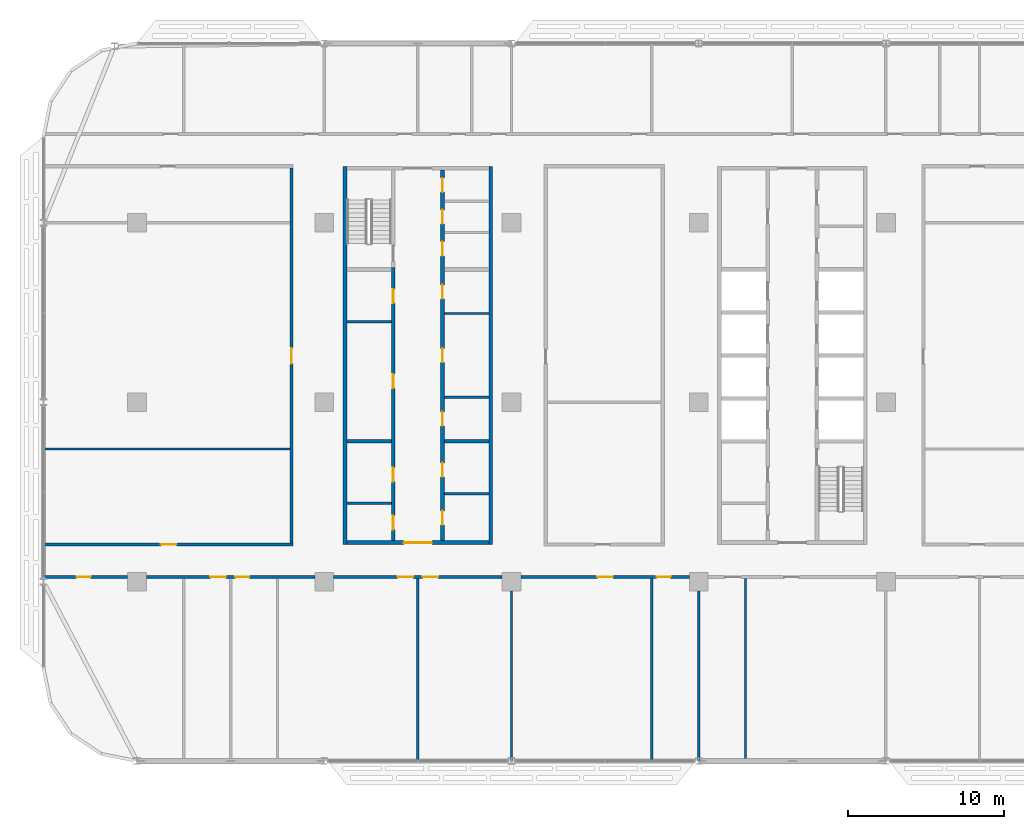
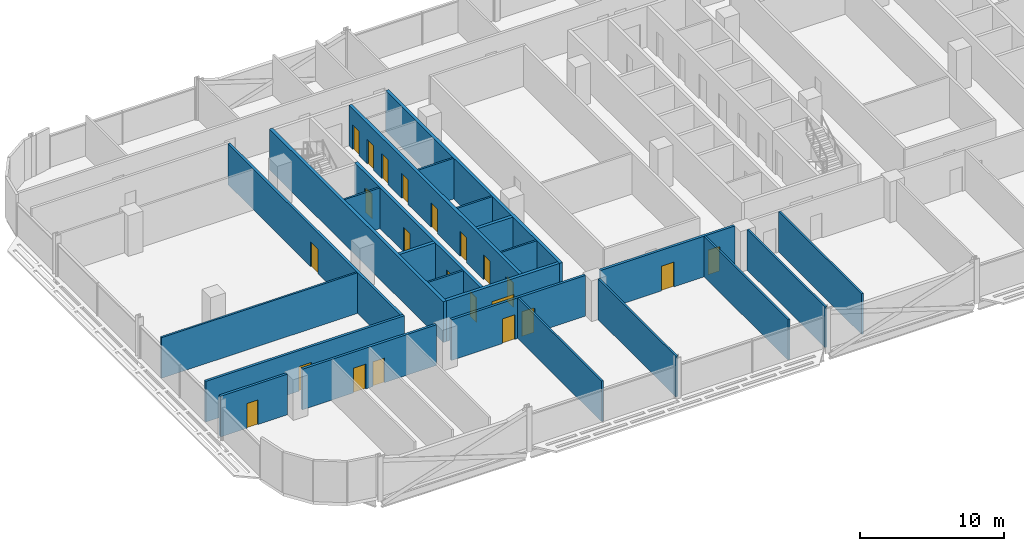
# One storey, part 11 of 27: 24 walls, 22 doors, 22 openings.
"""IFC4 building model written with IfcOpenShell, lengths in metres."""

from ifc_helpers import new_model, si_unit, direction, frame, frame_2d, origin, place, context, subcontext, project, spatial, rectangle, extrude, material, layer, layer_set, type_object, element, fill, save


model = new_model("IFC4")

# Units and contexts
model_context = context("Model", 3, precision=1e-05, world=origin(), true_north=direction((0.0, 1.0)))
body_context = subcontext(model_context, "Body", "Model", "MODEL_VIEW")
ifc_project = project(units=[si_unit("LENGTHUNIT", "METRE"), si_unit("AREAUNIT", "SQUARE_METRE"), si_unit("VOLUMEUNIT", "CUBIC_METRE"), si_unit("PLANEANGLEUNIT", "RADIAN"), si_unit("MASSUNIT", "GRAM", prefix="KILO")], contexts=[model_context])

# Site, building, storey
site_placement = place(None, origin())
site = spatial("IfcSite", under=ifc_project, at=site_placement, CompositionType="ELEMENT")
building_placement = place(site_placement, origin())
building = spatial("IfcBuilding", under=site, at=building_placement, Name="Mahtab Terrace Research Tower", CompositionType="ELEMENT")
storey_placement = place(building_placement, frame((0.0, 0.0, 182.0)))
storey = spatial("IfcBuildingStorey", under=building, at=storey_placement, Name="L43", CompositionType="ELEMENT", Elevation=182.0)

# Walls
ifc_material_1 = material(Name="Gypsum board partition")
ifc_layer_1 = layer(ifc_material_1, 0.14990234375)
ifc_layer_set_1 = layer_set([ifc_layer_1], Name="Core partition 150")
wall_type_1 = type_object("IfcWallType", Name="Core partition 150", PredefinedType="PARTITIONING", material=ifc_layer_set_1)
for number, where, z_axis, x_axis, name in (
    (1, (-28.550048828125, 5.14990234375, 0.0), (0.0, 0.0, 1.0), (1.0, 0.0, 0.0), "Core wall A pWL215"),
    (2, (-22.300048828125, 0.3125, 0.0), (0.0, 0.0, 1.0), (1.0, 0.0, 0.0), "Core wall A pEL-269"),
    (3, (-22.300048828125, 5.6875, 0.0), (0.0, 0.0, 1.0), (1.0, 0.0, 0.0), "Core wall A pEL269"),
    (4, (-28.550048828125, -6.47509765625, 0.0), (0.0, 0.0, 1.0), (1.0, 0.0, 0.0), "Core wall A pWS-948"),
    (5, (-22.300048828125, -5.875, 0.0), (0.0, 0.0, 1.0), (1.0, 0.0, 0.0), "Core wall A pES-888"),
):
    element("IfcWall", number, at=place(storey_placement, frame(where, z_axis=z_axis, x_axis=x_axis)), inside=storey, type_object=wall_type_1, Name=name, PredefinedType="PARTITIONING", context=body_context, shape_type="SweptSolid", body=[
        extrude(rectangle(XDim=2.85009765625, YDim=0.14990234375, at=frame_2d((1.425048828125, 0.0))), origin(), (0.0, 0.0, 1.0), 3.4599609375),
    ])
ifc_material_2 = material(Name="Concrete C70/85", Category="concrete")
ifc_layer_2 = layer(ifc_material_2, 0.25)
ifc_layer_set_2 = layer_set([ifc_layer_2], Name="Core wall 250")
wall_type_2 = type_object("IfcWallType", Name="Core wall 250", PredefinedType="SOLIDWALL", material=ifc_layer_set_2)
for number, where, z_axis, x_axis, name in (
    (6, (-28.675048828125, 15.125, 0.0), (0.0, 0.0, 1.0), (0.0, -1.0, 0.0), "Core wall A outerW"),
    (7, (-19.324951171875, -9.125, 0.0), (0.0, 0.0, 1.0), (0.0, 1.0, 0.0), "Core wall A outerE"),
):
    element("IfcWall", number, at=place(storey_placement, frame(where, z_axis=z_axis, x_axis=x_axis)), inside=storey, type_object=wall_type_2, Name=name, PredefinedType="SOLIDWALL", context=body_context, shape_type="SweptSolid", body=[
        extrude(rectangle(XDim=24.25, YDim=0.25, at=frame_2d((12.125, 0.0))), origin(), (0.0, 0.0, 1.0), 3.4599609375),
    ])

# Wall, opening, door
wall_1_placement = place(storey_placement, frame((-19.449951171875, -9.0, 0.0), z_axis=(0.0, 0.0, 1.0), x_axis=(-1.0, 0.0, 0.0)))
wall_1 = element("IfcWall", 8, at=wall_1_placement, inside=storey, type_object=wall_type_2, Name="Core wall A endS", PredefinedType="SOLIDWALL", context=body_context, shape_type="SweptSolid", body=[
    extrude(rectangle(XDim=9.10009765625, YDim=0.25, at=frame_2d((4.550048828125, 0.0))), origin(), (0.0, 0.0, 1.0), 3.4599609375),
])
opening_1_placement = place(wall_1_placement, frame((3.64990234375, 0.0, 0.0)))
opening_1 = element("IfcOpeningElement", 9, at=opening_1_placement, cuts=wall_1, Name="Opening A-S1", PredefinedType="OPENING", context=body_context, shape_type="SweptSolid", body=[
    extrude(rectangle(XDim=1.800048828125, YDim=2.10009765625, at=frame_2d((0.89990234375, 1.050048828125))), frame((0.0, 0.135009765625, 0.0), z_axis=(0.0, -1.0, 0.0), x_axis=(1.0, 0.0, 0.0)), (0.0, 0.0, 1.0), 0.27001953125),
])
ifc_material_3 = material(Name="Steel fire door", Category="steel")
door_type_1 = type_object("IfcDoorType", Name="Lobby double door 1800x2100 1 HR", OperationType="DOUBLE_DOOR_SINGLE_SWING", PredefinedType="DOOR", material=ifc_material_3)
door_1_placement = place(opening_1_placement, origin())
door_1 = element("IfcDoor", 10, at=door_1_placement, inside=storey, type_object=door_type_1, Name="Core entrance door A S", OperationType="DOUBLE_DOOR_SINGLE_SWING", OverallHeight=2.10009765625, OverallWidth=1.800048828125, PredefinedType="DOOR", context=body_context, shape_type="SweptSolid", body=[
    extrude(rectangle(XDim=1.800048828125, YDim=2.10009765625, at=frame_2d((0.89990234375, 1.050048828125))), frame((0.0, 0.02490234375, 0.0), z_axis=(0.0, -1.0, 0.0), x_axis=(1.0, 0.0, 0.0)), (0.0, 0.0, 1.0), 0.050048828125),
])
fill(opening_1, door_1)

# Wall, openings, doors
wall_2_placement = place(storey_placement, frame((-25.574951171875, -8.875, 0.0), z_axis=(0.0, 0.0, 1.0), x_axis=(0.0, 1.0, 0.0)))
wall_2 = element("IfcWall", 11, at=wall_2_placement, inside=storey, type_object=wall_type_2, Name="Core wall A innerWSL", PredefinedType="SOLIDWALL", context=body_context, shape_type="SweptSolid", body=[
    extrude(rectangle(XDim=17.5, YDim=0.25, at=frame_2d((8.75, 0.0))), origin(), (0.0, 0.0, 1.0), 3.4599609375),
])
opening_2_placement = place(wall_2_placement, frame((9.77490234375, 0.0, 0.0)))
opening_2 = element("IfcOpeningElement", 12, at=opening_2_placement, cuts=wall_2, Name="Opening A-R1", PredefinedType="OPENING", context=body_context, shape_type="SweptSolid", body=[
    extrude(rectangle(XDim=0.89990234375, YDim=2.10009765625, at=frame_2d((0.449951171875, 1.050048828125))), frame((0.0, 0.135009765625, 0.0), z_axis=(0.0, -1.0, 0.0), x_axis=(1.0, 0.0, 0.0)), (0.0, 0.0, 1.0), 0.27001953125),
])
opening_3_placement = place(wall_2_placement, frame((15.22509765625, 0.0, 0.0)))
opening_3 = element("IfcOpeningElement", 13, at=opening_3_placement, cuts=wall_2, Name="Opening A-R2", PredefinedType="OPENING", context=body_context, shape_type="SweptSolid", body=[
    extrude(rectangle(XDim=0.89990234375, YDim=2.10009765625, at=frame_2d((0.449951171875, 1.050048828125))), frame((0.0, 0.135009765625, 0.0), z_axis=(0.0, -1.0, 0.0), x_axis=(1.0, 0.0, 0.0)), (0.0, 0.0, 1.0), 0.27001953125),
])
opening_4_placement = place(wall_2_placement, frame((0.71240234375, 0.0, 0.0)))
opening_4 = element("IfcOpeningElement", 14, at=opening_4_placement, cuts=wall_2, Name="Opening A-R6", PredefinedType="OPENING", context=body_context, shape_type="SweptSolid", body=[
    extrude(rectangle(XDim=0.89990234375, YDim=2.10009765625, at=frame_2d((0.449951171875, 1.050048828125))), frame((0.0, 0.135009765625, 0.0), z_axis=(0.0, -1.0, 0.0), x_axis=(1.0, 0.0, 0.0)), (0.0, 0.0, 1.0), 0.27001953125),
])
opening_5_placement = place(wall_2_placement, frame((3.78759765625, 0.0, 0.0)))
opening_5 = element("IfcOpeningElement", 15, at=opening_5_placement, cuts=wall_2, Name="Opening A-R7", PredefinedType="OPENING", context=body_context, shape_type="SweptSolid", body=[
    extrude(rectangle(XDim=0.89990234375, YDim=2.10009765625, at=frame_2d((0.449951171875, 1.050048828125))), frame((0.0, 0.135009765625, 0.0), z_axis=(0.0, -1.0, 0.0), x_axis=(1.0, 0.0, 0.0)), (0.0, 0.0, 1.0), 0.27001953125),
])
door_type_2 = type_object("IfcDoorType", Name="Room door 900x2100 1 HR", OperationType="NOTDEFINED", PredefinedType="DOOR", material=ifc_material_3)
door_2_placement = place(opening_2_placement, origin())
door_2 = element("IfcDoor", 16, at=door_2_placement, inside=storey, type_object=door_type_2, Name="Chemical store door", OperationType="SINGLE_SWING_LEFT", OverallHeight=2.10009765625, OverallWidth=0.89990234375, PredefinedType="DOOR", context=body_context, shape_type="SweptSolid", body=[
    extrude(rectangle(XDim=0.89990234375, YDim=2.10009765625, at=frame_2d((0.449951171875, 1.050048828125))), frame((0.0, 0.02490234375, 0.0), z_axis=(0.0, -1.0, 0.0), x_axis=(1.0, 0.0, 0.0)), (0.0, 0.0, 1.0), 0.050048828125),
])
fill(opening_2, door_2)
door_3_placement = place(opening_3_placement, origin())
door_3 = element("IfcDoor", 17, at=door_3_placement, inside=storey, type_object=door_type_2, Name="Waste room door", OperationType="SINGLE_SWING_RIGHT", OverallHeight=2.10009765625, OverallWidth=0.89990234375, PredefinedType="DOOR", context=body_context, shape_type="SweptSolid", body=[
    extrude(rectangle(XDim=0.89990234375, YDim=2.10009765625, at=frame_2d((0.449951171875, 1.050048828125))), frame((0.0, 0.02490234375, 0.0), z_axis=(0.0, -1.0, 0.0), x_axis=(1.0, 0.0, 0.0)), (0.0, 0.0, 1.0), 0.050048828125),
])
fill(opening_3, door_3)
door_4_placement = place(opening_4_placement, origin())
door_4 = element("IfcDoor", 18, at=door_4_placement, inside=storey, type_object=door_type_2, Name="Accessible WC door", OperationType="SINGLE_SWING_RIGHT", OverallHeight=2.10009765625, OverallWidth=0.89990234375, PredefinedType="DOOR", context=body_context, shape_type="SweptSolid", body=[
    extrude(rectangle(XDim=0.89990234375, YDim=2.10009765625, at=frame_2d((0.449951171875, 1.050048828125))), frame((0.0, 0.02490234375, 0.0), z_axis=(0.0, -1.0, 0.0), x_axis=(1.0, 0.0, 0.0)), (0.0, 0.0, 1.0), 0.050048828125),
])
fill(opening_4, door_4)
door_5_placement = place(opening_5_placement, origin())
door_5 = element("IfcDoor", 19, at=door_5_placement, inside=storey, type_object=door_type_2, Name="WC block door", OperationType="SINGLE_SWING_LEFT", OverallHeight=2.10009765625, OverallWidth=0.89990234375, PredefinedType="DOOR", context=body_context, shape_type="SweptSolid", body=[
    extrude(rectangle(XDim=0.89990234375, YDim=2.10009765625, at=frame_2d((0.449951171875, 1.050048828125))), frame((0.0, 0.02490234375, 0.0), z_axis=(0.0, -1.0, 0.0), x_axis=(1.0, 0.0, 0.0)), (0.0, 0.0, 1.0), 0.050048828125),
])
fill(opening_5, door_5)

wall_3_placement = place(storey_placement, frame((-22.425048828125, 14.875, 0.0), z_axis=(0.0, 0.0, 1.0), x_axis=(0.0, -1.0, 0.0)))
wall_3 = element("IfcWall", 20, at=wall_3_placement, inside=storey, type_object=wall_type_2, Name="Core wall A innerESLN", PredefinedType="SOLIDWALL", context=body_context, shape_type="SweptSolid", body=[
    extrude(rectangle(XDim=23.75, YDim=0.25, at=frame_2d((11.875, 0.0))), origin(), (0.0, 0.0, 1.0), 3.4599609375),
])
opening_6_placement = place(wall_3_placement, frame((15.493896484375, 0.0, 0.0)))
opening_6 = element("IfcOpeningElement", 21, at=opening_6_placement, cuts=wall_3, Name="Opening A-R3", PredefinedType="OPENING", context=body_context, shape_type="SweptSolid", body=[
    extrude(rectangle(XDim=0.89990234375, YDim=2.10009765625, at=frame_2d((0.449951171875, 1.050048828125))), frame((0.0, 0.135009765625, 0.0), z_axis=(0.0, -1.0, 0.0), x_axis=(1.0, 0.0, 0.0)), (0.0, 0.0, 1.0), 0.27001953125),
])
opening_7_placement = place(wall_3_placement, frame((11.425048828125, 0.0, 0.0)))
opening_7 = element("IfcOpeningElement", 22, at=opening_7_placement, cuts=wall_3, Name="Opening A-R4", PredefinedType="OPENING", context=body_context, shape_type="SweptSolid", body=[
    extrude(rectangle(XDim=0.89990234375, YDim=2.10009765625, at=frame_2d((0.449951171875, 1.050048828125))), frame((0.0, 0.135009765625, 0.0), z_axis=(0.0, -1.0, 0.0), x_axis=(1.0, 0.0, 0.0)), (0.0, 0.0, 1.0), 0.27001953125),
])
opening_8_placement = place(wall_3_placement, frame((7.356201171875, 0.0, 0.0)))
opening_8 = element("IfcOpeningElement", 23, at=opening_8_placement, cuts=wall_3, Name="Opening A-R5", PredefinedType="OPENING", context=body_context, shape_type="SweptSolid", body=[
    extrude(rectangle(XDim=0.89990234375, YDim=2.10009765625, at=frame_2d((0.449951171875, 1.050048828125))), frame((0.0, 0.135009765625, 0.0), z_axis=(0.0, -1.0, 0.0), x_axis=(1.0, 0.0, 0.0)), (0.0, 0.0, 1.0), 0.27001953125),
])
opening_9_placement = place(wall_3_placement, frame((21.83740234375, 0.0, 0.0)))
opening_9 = element("IfcOpeningElement", 24, at=opening_9_placement, cuts=wall_3, Name="Opening A-R8", PredefinedType="OPENING", context=body_context, shape_type="SweptSolid", body=[
    extrude(rectangle(XDim=0.89990234375, YDim=2.10009765625, at=frame_2d((0.449951171875, 1.050048828125))), frame((0.0, 0.135009765625, 0.0), z_axis=(0.0, -1.0, 0.0), x_axis=(1.0, 0.0, 0.0)), (0.0, 0.0, 1.0), 0.27001953125),
])
opening_10_placement = place(wall_3_placement, frame((18.762451171875, 0.0, 0.0)))
opening_10 = element("IfcOpeningElement", 25, at=opening_10_placement, cuts=wall_3, Name="Opening A-R9", PredefinedType="OPENING", context=body_context, shape_type="SweptSolid", body=[
    extrude(rectangle(XDim=0.89990234375, YDim=2.10009765625, at=frame_2d((0.449951171875, 1.050048828125))), frame((0.0, 0.135009765625, 0.0), z_axis=(0.0, -1.0, 0.0), x_axis=(1.0, 0.0, 0.0)), (0.0, 0.0, 1.0), 0.27001953125),
])
opening_11_placement = place(wall_3_placement, frame((4.58740234375, 0.0, 0.0)))
opening_11 = element("IfcOpeningElement", 26, at=opening_11_placement, cuts=wall_3, Name="Opening A-R10", PredefinedType="OPENING", context=body_context, shape_type="SweptSolid", body=[
    extrude(rectangle(XDim=0.89990234375, YDim=2.10009765625, at=frame_2d((0.449951171875, 1.050048828125))), frame((0.0, 0.135009765625, 0.0), z_axis=(0.0, -1.0, 0.0), x_axis=(1.0, 0.0, 0.0)), (0.0, 0.0, 1.0), 0.27001953125),
])
opening_12_placement = place(wall_3_placement, frame((2.550048828125, 0.0, 0.0)))
opening_12 = element("IfcOpeningElement", 27, at=opening_12_placement, cuts=wall_3, Name="Opening A-R11", PredefinedType="OPENING", context=body_context, shape_type="SweptSolid", body=[
    extrude(rectangle(XDim=0.89990234375, YDim=2.10009765625, at=frame_2d((0.449951171875, 1.050048828125))), frame((0.0, 0.135009765625, 0.0), z_axis=(0.0, -1.0, 0.0), x_axis=(1.0, 0.0, 0.0)), (0.0, 0.0, 1.0), 0.27001953125),
])
opening_13_placement = place(wall_3_placement, frame((0.512451171875, 0.0, 0.0)))
opening_13 = element("IfcOpeningElement", 28, at=opening_13_placement, cuts=wall_3, Name="Opening A-R12", PredefinedType="OPENING", context=body_context, shape_type="SweptSolid", body=[
    extrude(rectangle(XDim=0.89990234375, YDim=2.10009765625, at=frame_2d((0.449951171875, 1.050048828125))), frame((0.0, 0.135009765625, 0.0), z_axis=(0.0, -1.0, 0.0), x_axis=(1.0, 0.0, 0.0)), (0.0, 0.0, 1.0), 0.27001953125),
])
door_6_placement = place(opening_6_placement, origin())
door_6 = element("IfcDoor", 29, at=door_6_placement, inside=storey, type_object=door_type_2, Name="Comms room door", OperationType="SINGLE_SWING_LEFT", OverallHeight=2.10009765625, OverallWidth=0.89990234375, PredefinedType="DOOR", context=body_context, shape_type="SweptSolid", body=[
    extrude(rectangle(XDim=0.89990234375, YDim=2.10009765625, at=frame_2d((0.449951171875, 1.050048828125))), frame((0.0, 0.02490234375, 0.0), z_axis=(0.0, -1.0, 0.0), x_axis=(1.0, 0.0, 0.0)), (0.0, 0.0, 1.0), 0.050048828125),
])
fill(opening_6, door_6)
door_7_placement = place(opening_7_placement, origin())
door_7 = element("IfcDoor", 30, at=door_7_placement, inside=storey, type_object=door_type_2, Name="Meeting alcove door", OperationType="SINGLE_SWING_RIGHT", OverallHeight=2.10009765625, OverallWidth=0.89990234375, PredefinedType="DOOR", context=body_context, shape_type="SweptSolid", body=[
    extrude(rectangle(XDim=0.89990234375, YDim=2.10009765625, at=frame_2d((0.449951171875, 1.050048828125))), frame((0.0, 0.02490234375, 0.0), z_axis=(0.0, -1.0, 0.0), x_axis=(1.0, 0.0, 0.0)), (0.0, 0.0, 1.0), 0.050048828125),
])
fill(opening_7, door_7)
door_8_placement = place(opening_8_placement, origin())
door_8 = element("IfcDoor", 31, at=door_8_placement, inside=storey, type_object=door_type_2, Name="Linen store door", OperationType="SINGLE_SWING_LEFT", OverallHeight=2.10009765625, OverallWidth=0.89990234375, PredefinedType="DOOR", context=body_context, shape_type="SweptSolid", body=[
    extrude(rectangle(XDim=0.89990234375, YDim=2.10009765625, at=frame_2d((0.449951171875, 1.050048828125))), frame((0.0, 0.02490234375, 0.0), z_axis=(0.0, -1.0, 0.0), x_axis=(1.0, 0.0, 0.0)), (0.0, 0.0, 1.0), 0.050048828125),
])
fill(opening_8, door_8)
door_9_placement = place(opening_9_placement, origin())
door_9 = element("IfcDoor", 32, at=door_9_placement, inside=storey, type_object=door_type_2, Name="Housekeeping store door", OperationType="SINGLE_SWING_RIGHT", OverallHeight=2.10009765625, OverallWidth=0.89990234375, PredefinedType="DOOR", context=body_context, shape_type="SweptSolid", body=[
    extrude(rectangle(XDim=0.89990234375, YDim=2.10009765625, at=frame_2d((0.449951171875, 1.050048828125))), frame((0.0, 0.02490234375, 0.0), z_axis=(0.0, -1.0, 0.0), x_axis=(1.0, 0.0, 0.0)), (0.0, 0.0, 1.0), 0.050048828125),
])
fill(opening_9, door_9)
door_10_placement = place(opening_10_placement, origin())
door_10 = element("IfcDoor", 33, at=door_10_placement, inside=storey, type_object=door_type_2, Name="Electrical riser room door", OperationType="SINGLE_SWING_LEFT", OverallHeight=2.10009765625, OverallWidth=0.89990234375, PredefinedType="DOOR", context=body_context, shape_type="SweptSolid", body=[
    extrude(rectangle(XDim=0.89990234375, YDim=2.10009765625, at=frame_2d((0.449951171875, 1.050048828125))), frame((0.0, 0.02490234375, 0.0), z_axis=(0.0, -1.0, 0.0), x_axis=(1.0, 0.0, 0.0)), (0.0, 0.0, 1.0), 0.050048828125),
])
fill(opening_10, door_10)
door_11_placement = place(opening_11_placement, origin())
door_11 = element("IfcDoor", 34, at=door_11_placement, inside=storey, type_object=door_type_2, Name="Comms riser room door", OperationType="SINGLE_SWING_RIGHT", OverallHeight=2.10009765625, OverallWidth=0.89990234375, PredefinedType="DOOR", context=body_context, shape_type="SweptSolid", body=[
    extrude(rectangle(XDim=0.89990234375, YDim=2.10009765625, at=frame_2d((0.449951171875, 1.050048828125))), frame((0.0, 0.02490234375, 0.0), z_axis=(0.0, -1.0, 0.0), x_axis=(1.0, 0.0, 0.0)), (0.0, 0.0, 1.0), 0.050048828125),
])
fill(opening_11, door_11)
door_12_placement = place(opening_12_placement, origin())
door_12 = element("IfcDoor", 35, at=door_12_placement, inside=storey, type_object=door_type_2, Name="Pantry door", OperationType="SINGLE_SWING_LEFT", OverallHeight=2.10009765625, OverallWidth=0.89990234375, PredefinedType="DOOR", context=body_context, shape_type="SweptSolid", body=[
    extrude(rectangle(XDim=0.89990234375, YDim=2.10009765625, at=frame_2d((0.449951171875, 1.050048828125))), frame((0.0, 0.02490234375, 0.0), z_axis=(0.0, -1.0, 0.0), x_axis=(1.0, 0.0, 0.0)), (0.0, 0.0, 1.0), 0.050048828125),
])
fill(opening_12, door_12)
door_13_placement = place(opening_13_placement, origin())
door_13 = element("IfcDoor", 36, at=door_13_placement, inside=storey, type_object=door_type_2, Name="Cleaners store door", OperationType="SINGLE_SWING_RIGHT", OverallHeight=2.10009765625, OverallWidth=0.89990234375, PredefinedType="DOOR", context=body_context, shape_type="SweptSolid", body=[
    extrude(rectangle(XDim=0.89990234375, YDim=2.10009765625, at=frame_2d((0.449951171875, 1.050048828125))), frame((0.0, 0.02490234375, 0.0), z_axis=(0.0, -1.0, 0.0), x_axis=(1.0, 0.0, 0.0)), (0.0, 0.0, 1.0), 0.050048828125),
])
fill(opening_13, door_13)

# Walls
for number, where, z_axis, x_axis, name in (
    (37, (-28.550048828125, -2.5, 0.0), (0.0, 0.0, 1.0), (1.0, 0.0, 0.0), "Core wall A divW0"),
    (38, (-22.300048828125, -2.5, 0.0), (0.0, 0.0, 1.0), (1.0, 0.0, 0.0), "Core wall A divE0"),
):
    element("IfcWall", number, at=place(storey_placement, frame(where, z_axis=z_axis, x_axis=x_axis)), inside=storey, type_object=wall_type_2, Name=name, PredefinedType="SOLIDWALL", context=body_context, shape_type="SweptSolid", body=[
        extrude(rectangle(XDim=2.85009765625, YDim=0.25, at=frame_2d((1.425048828125, 0.0))), origin(), (0.0, 0.0, 1.0), 3.4599609375),
    ])

# Wall, opening, door
ifc_material_4 = material(Name="Gypsum board corridor wall on steel studs", Category="steel")
ifc_layer_3 = layer(ifc_material_4, 0.199951171875)
ifc_layer_set_3 = layer_set([ifc_layer_3], Name="WALL CORRIDOR 200")
wall_type_3 = type_object("IfcWallType", Name="WALL CORRIDOR 200", PredefinedType="PARTITIONING", material=ifc_layer_set_3)
wall_4_placement = place(storey_placement, frame((-47.97509765625, -11.199951171875, 0.0), z_axis=(0.0, 0.0, 1.0), x_axis=(1.0, 0.0, 0.0)))
wall_4 = element("IfcWall", 39, at=wall_4_placement, inside=storey, type_object=wall_type_3, Name="L43-W001", PredefinedType="PARTITIONING", context=body_context, shape_type="SweptSolid", body=[
    extrude(rectangle(XDim=5.375, YDim=0.199951171875, at=frame_2d((2.6875, 0.0))), origin(), (0.0, 0.0, 1.0), 3.4599609375),
])
opening_14_placement = place(wall_4_placement, frame((2.10009765625, 0.0, 0.0)))
opening_14 = element("IfcOpeningElement", 40, at=opening_14_placement, cuts=wall_4, Name="Opening L43-101", PredefinedType="OPENING", context=body_context, shape_type="SweptSolid", body=[
    extrude(rectangle(XDim=0.89990234375, YDim=2.10009765625, at=frame_2d((0.449951171875, 1.050048828125))), frame((0.0, 0.10986328125, 0.0), z_axis=(0.0, -1.0, 0.0), x_axis=(1.0, 0.0, 0.0)), (0.0, 0.0, 1.0), 0.219970703125),
])
ifc_material_5 = material(Name="Timber door leaf in steel frame", Category="steel")
door_type_3 = type_object("IfcDoorType", Name="DOOR 0900X2100 FD30S", OperationType="SINGLE_SWING_LEFT", PredefinedType="DOOR", material=ifc_material_5)
door_14_placement = place(opening_14_placement, origin())
door_14 = element("IfcDoor", 41, at=door_14_placement, inside=storey, type_object=door_type_3, Name="Door L43-101", OperationType="SINGLE_SWING_RIGHT", OverallHeight=2.10009765625, OverallWidth=0.89990234375, PredefinedType="DOOR", context=body_context, shape_type="SweptSolid", body=[
    extrude(rectangle(XDim=0.89990234375, YDim=2.10009765625, at=frame_2d((0.449951171875, 1.050048828125))), frame((0.0, 0.02490234375, 0.0), z_axis=(0.0, -1.0, 0.0), x_axis=(1.0, 0.0, 0.0)), (0.0, 0.0, 1.0), 0.050048828125),
])
fill(opening_14, door_14)

# Wall, openings, doors
wall_5_placement = place(storey_placement, frame((-41.39990234375, -11.199951171875, 0.0), z_axis=(0.0, 0.0, 1.0), x_axis=(1.0, 0.0, 0.0)))
wall_5 = element("IfcWall", 42, at=wall_5_placement, inside=storey, type_object=wall_type_3, Name="L43-W002", PredefinedType="PARTITIONING", context=body_context, shape_type="SweptSolid", body=[
    extrude(rectangle(XDim=10.7998046875, YDim=0.199951171875, at=frame_2d((5.39990234375, 0.0))), origin(), (0.0, 0.0, 1.0), 3.4599609375),
])
opening_15_placement = place(wall_5_placement, frame((4.10009765625, 0.0, 0.0)))
opening_15 = element("IfcOpeningElement", 43, at=opening_15_placement, cuts=wall_5, Name="Opening L43-102", PredefinedType="OPENING", context=body_context, shape_type="SweptSolid", body=[
    extrude(rectangle(XDim=1.0, YDim=2.10009765625, at=frame_2d((0.5, 1.050048828125))), frame((0.0, 0.10986328125, 0.0), z_axis=(0.0, -1.0, 0.0), x_axis=(1.0, 0.0, 0.0)), (0.0, 0.0, 1.0), 0.219970703125),
])
opening_16_placement = place(wall_5_placement, frame((5.699951171875, 0.0, 0.0)))
opening_16 = element("IfcOpeningElement", 44, at=opening_16_placement, cuts=wall_5, Name="Opening L43-103", PredefinedType="OPENING", context=body_context, shape_type="SweptSolid", body=[
    extrude(rectangle(XDim=0.89990234375, YDim=2.10009765625, at=frame_2d((0.449951171875, 1.050048828125))), frame((0.0, 0.10986328125, 0.0), z_axis=(0.0, -1.0, 0.0), x_axis=(1.0, 0.0, 0.0)), (0.0, 0.0, 1.0), 0.219970703125),
])
door_15_placement = place(opening_16_placement, origin())
door_15 = element("IfcDoor", 45, at=door_15_placement, inside=storey, type_object=door_type_3, Name="Door L43-103", OperationType="SINGLE_SWING_LEFT", OverallHeight=2.10009765625, OverallWidth=0.89990234375, PredefinedType="DOOR", context=body_context, shape_type="SweptSolid", body=[
    extrude(rectangle(XDim=0.89990234375, YDim=2.10009765625, at=frame_2d((0.449951171875, 1.050048828125))), frame((0.0, 0.02490234375, 0.0), z_axis=(0.0, -1.0, 0.0), x_axis=(1.0, 0.0, 0.0)), (0.0, 0.0, 1.0), 0.050048828125),
])
fill(opening_16, door_15)
door_type_4 = type_object("IfcDoorType", Name="DOOR 1000X2100 FD30S", OperationType="SINGLE_SWING_LEFT", PredefinedType="DOOR", material=ifc_material_5)
door_16_placement = place(opening_15_placement, origin())
door_16 = element("IfcDoor", 46, at=door_16_placement, inside=storey, type_object=door_type_4, Name="Door L43-102", OperationType="SINGLE_SWING_RIGHT", OverallHeight=2.10009765625, OverallWidth=1.0, PredefinedType="DOOR", context=body_context, shape_type="SweptSolid", body=[
    extrude(rectangle(XDim=1.0, YDim=2.10009765625, at=frame_2d((0.5, 1.050048828125))), frame((0.0, 0.02490234375, 0.0), z_axis=(0.0, -1.0, 0.0), x_axis=(1.0, 0.0, 0.0)), (0.0, 0.0, 1.0), 0.050048828125),
])
fill(opening_15, door_16)

wall_6_placement = place(storey_placement, frame((-29.39990234375, -11.199951171875, 0.0), z_axis=(0.0, 0.0, 1.0), x_axis=(1.0, 0.0, 0.0)))
wall_6 = element("IfcWall", 47, at=wall_6_placement, inside=storey, type_object=wall_type_3, Name="L43-W003", PredefinedType="PARTITIONING", context=body_context, shape_type="SweptSolid", body=[
    extrude(rectangle(XDim=10.7998046875, YDim=0.199951171875, at=frame_2d((5.39990234375, 0.0))), origin(), (0.0, 0.0, 1.0), 3.4599609375),
])
opening_17_placement = place(wall_6_placement, frame((4.10009765625, 0.0, 0.0)))
opening_17 = element("IfcOpeningElement", 48, at=opening_17_placement, cuts=wall_6, Name="Opening L43-104", PredefinedType="OPENING", context=body_context, shape_type="SweptSolid", body=[
    extrude(rectangle(XDim=1.0, YDim=2.10009765625, at=frame_2d((0.5, 1.050048828125))), frame((0.0, 0.10986328125, 0.0), z_axis=(0.0, -1.0, 0.0), x_axis=(1.0, 0.0, 0.0)), (0.0, 0.0, 1.0), 0.219970703125),
])
opening_18_placement = place(wall_6_placement, frame((5.699951171875, 0.0, 0.0)))
opening_18 = element("IfcOpeningElement", 49, at=opening_18_placement, cuts=wall_6, Name="Opening L43-105", PredefinedType="OPENING", context=body_context, shape_type="SweptSolid", body=[
    extrude(rectangle(XDim=1.0, YDim=2.10009765625, at=frame_2d((0.5, 1.050048828125))), frame((0.0, 0.10986328125, 0.0), z_axis=(0.0, -1.0, 0.0), x_axis=(1.0, 0.0, 0.0)), (0.0, 0.0, 1.0), 0.219970703125),
])
door_17_placement = place(opening_17_placement, origin())
door_17 = element("IfcDoor", 50, at=door_17_placement, inside=storey, type_object=door_type_4, Name="Door L43-104", OperationType="SINGLE_SWING_RIGHT", OverallHeight=2.10009765625, OverallWidth=1.0, PredefinedType="DOOR", context=body_context, shape_type="SweptSolid", body=[
    extrude(rectangle(XDim=1.0, YDim=2.10009765625, at=frame_2d((0.5, 1.050048828125))), frame((0.0, 0.02490234375, 0.0), z_axis=(0.0, -1.0, 0.0), x_axis=(1.0, 0.0, 0.0)), (0.0, 0.0, 1.0), 0.050048828125),
])
fill(opening_17, door_17)
door_18_placement = place(opening_18_placement, origin())
door_18 = element("IfcDoor", 51, at=door_18_placement, inside=storey, type_object=door_type_4, Name="Door L43-105", OperationType="SINGLE_SWING_LEFT", OverallHeight=2.10009765625, OverallWidth=1.0, PredefinedType="DOOR", context=body_context, shape_type="SweptSolid", body=[
    extrude(rectangle(XDim=1.0, YDim=2.10009765625, at=frame_2d((0.5, 1.050048828125))), frame((0.0, 0.02490234375, 0.0), z_axis=(0.0, -1.0, 0.0), x_axis=(1.0, 0.0, 0.0)), (0.0, 0.0, 1.0), 0.050048828125),
])
fill(opening_18, door_18)

wall_7_placement = place(storey_placement, frame((-17.39990234375, -11.199951171875, 0.0), z_axis=(0.0, 0.0, 1.0), x_axis=(1.0, 0.0, 0.0)))
wall_7 = element("IfcWall", 52, at=wall_7_placement, inside=storey, type_object=wall_type_3, Name="L43-W004", PredefinedType="PARTITIONING", context=body_context, shape_type="SweptSolid", body=[
    extrude(rectangle(XDim=10.7998046875, YDim=0.199951171875, at=frame_2d((5.39990234375, 0.0))), origin(), (0.0, 0.0, 1.0), 3.4599609375),
])
opening_19_placement = place(wall_7_placement, frame((4.89990234375, 0.0, 0.0)))
opening_19 = element("IfcOpeningElement", 53, at=opening_19_placement, cuts=wall_7, Name="Opening L43-106", PredefinedType="OPENING", context=body_context, shape_type="SweptSolid", body=[
    extrude(rectangle(XDim=1.0, YDim=2.10009765625, at=frame_2d((0.5, 1.050048828125))), frame((0.0, 0.10986328125, 0.0), z_axis=(0.0, -1.0, 0.0), x_axis=(1.0, 0.0, 0.0)), (0.0, 0.0, 1.0), 0.219970703125),
])
opening_20_placement = place(wall_7_placement, frame((8.699951171875, 0.0, 0.0)))
opening_20 = element("IfcOpeningElement", 54, at=opening_20_placement, cuts=wall_7, Name="Opening L43-107", PredefinedType="OPENING", context=body_context, shape_type="SweptSolid", body=[
    extrude(rectangle(XDim=0.89990234375, YDim=2.10009765625, at=frame_2d((0.449951171875, 1.050048828125))), frame((0.0, 0.10986328125, 0.0), z_axis=(0.0, -1.0, 0.0), x_axis=(1.0, 0.0, 0.0)), (0.0, 0.0, 1.0), 0.219970703125),
])
door_19_placement = place(opening_20_placement, origin())
door_19 = element("IfcDoor", 55, at=door_19_placement, inside=storey, type_object=door_type_3, Name="Door L43-107", OperationType="SINGLE_SWING_LEFT", OverallHeight=2.10009765625, OverallWidth=0.89990234375, PredefinedType="DOOR", context=body_context, shape_type="SweptSolid", body=[
    extrude(rectangle(XDim=0.89990234375, YDim=2.10009765625, at=frame_2d((0.449951171875, 1.050048828125))), frame((0.0, 0.02490234375, 0.0), z_axis=(0.0, -1.0, 0.0), x_axis=(1.0, 0.0, 0.0)), (0.0, 0.0, 1.0), 0.050048828125),
])
fill(opening_20, door_19)
door_20_placement = place(opening_19_placement, origin())
door_20 = element("IfcDoor", 56, at=door_20_placement, inside=storey, type_object=door_type_4, Name="Door L43-106", OperationType="SINGLE_SWING_LEFT", OverallHeight=2.10009765625, OverallWidth=1.0, PredefinedType="DOOR", context=body_context, shape_type="SweptSolid", body=[
    extrude(rectangle(XDim=1.0, YDim=2.10009765625, at=frame_2d((0.5, 1.050048828125))), frame((0.0, 0.02490234375, 0.0), z_axis=(0.0, -1.0, 0.0), x_axis=(1.0, 0.0, 0.0)), (0.0, 0.0, 1.0), 0.050048828125),
])
fill(opening_19, door_20)

# Wall, opening, door
wall_8_placement = place(storey_placement, frame((-47.97509765625, -9.125, 0.0), z_axis=(0.0, 0.0, 1.0), x_axis=(1.0, 0.0, 0.0)))
wall_8 = element("IfcWall", 57, at=wall_8_placement, inside=storey, type_object=wall_type_3, Name="L43-W010", PredefinedType="PARTITIONING", context=body_context, shape_type="SweptSolid", body=[
    extrude(rectangle(XDim=15.97509765625, YDim=0.199951171875, at=frame_2d((7.987548828125, 0.0))), origin(), (0.0, 0.0, 1.0), 3.4599609375),
])
opening_21_placement = place(wall_8_placement, frame((7.5, 0.0, 0.0)))
opening_21 = element("IfcOpeningElement", 58, at=opening_21_placement, cuts=wall_8, Name="Opening L43-117", PredefinedType="OPENING", context=body_context, shape_type="SweptSolid", body=[
    extrude(rectangle(XDim=1.0, YDim=2.10009765625, at=frame_2d((0.5, 1.050048828125))), frame((0.0, 0.10986328125, 0.0), z_axis=(0.0, -1.0, 0.0), x_axis=(1.0, 0.0, 0.0)), (0.0, 0.0, 1.0), 0.219970703125),
])
door_21_placement = place(opening_21_placement, origin())
door_21 = element("IfcDoor", 59, at=door_21_placement, inside=storey, type_object=door_type_4, Name="Door L43-117", OperationType="SINGLE_SWING_RIGHT", OverallHeight=2.10009765625, OverallWidth=1.0, PredefinedType="DOOR", context=body_context, shape_type="SweptSolid", body=[
    extrude(rectangle(XDim=1.0, YDim=2.10009765625, at=frame_2d((0.5, 1.050048828125))), frame((0.0, 0.02490234375, 0.0), z_axis=(0.0, -1.0, 0.0), x_axis=(1.0, 0.0, 0.0)), (0.0, 0.0, 1.0), 0.050048828125),
])
fill(opening_21, door_21)

wall_9_placement = place(storey_placement, frame((-32.10009765625, -9.02490234375, 0.0), z_axis=(0.0, 0.0, 1.0), x_axis=(0.0, 1.0, 0.0)))
wall_9 = element("IfcWall", 60, at=wall_9_placement, inside=storey, type_object=wall_type_3, Name="L43-W031", PredefinedType="PARTITIONING", context=body_context, shape_type="SweptSolid", body=[
    extrude(rectangle(XDim=24.0498046875, YDim=0.199951171875, at=frame_2d((12.02490234375, 0.0))), origin(), (0.0, 0.0, 1.0), 3.4599609375),
])
opening_22_placement = place(wall_9_placement, frame((11.5, 0.0, 0.0)))
opening_22 = element("IfcOpeningElement", 61, at=opening_22_placement, cuts=wall_9, Name="Opening L43-122", PredefinedType="OPENING", context=body_context, shape_type="SweptSolid", body=[
    extrude(rectangle(XDim=1.0, YDim=2.10009765625, at=frame_2d((0.5, 1.050048828125))), frame((0.0, 0.10986328125, 0.0), z_axis=(0.0, -1.0, 0.0), x_axis=(1.0, 0.0, 0.0)), (0.0, 0.0, 1.0), 0.219970703125),
])
door_22_placement = place(opening_22_placement, origin())
door_22 = element("IfcDoor", 62, at=door_22_placement, inside=storey, type_object=door_type_4, Name="Door L43-122", OperationType="SINGLE_SWING_LEFT", OverallHeight=2.10009765625, OverallWidth=1.0, PredefinedType="DOOR", context=body_context, shape_type="SweptSolid", body=[
    extrude(rectangle(XDim=1.0, YDim=2.10009765625, at=frame_2d((0.5, 1.050048828125))), frame((0.0, 0.02490234375, 0.0), z_axis=(0.0, -1.0, 0.0), x_axis=(1.0, 0.0, 0.0)), (0.0, 0.0, 1.0), 0.050048828125),
])
fill(opening_22, door_22)

# Walls
ifc_material_6 = material(Name="Gypsum board partition on steel studs", Category="steel")
ifc_layer_4 = layer(ifc_material_6, 0.14990234375)
ifc_layer_set_4 = layer_set([ifc_layer_4], Name="WALL PARTITION 150")
wall_type_4 = type_object("IfcWallType", Name="WALL PARTITION 150", PredefinedType="PARTITIONING", material=ifc_layer_set_4)
wall_10_placement = place(storey_placement, frame((-47.97509765625, -3.0, 0.0), z_axis=(0.0, 0.0, 1.0), x_axis=(1.0, 0.0, 0.0)))
element("IfcWall", 63, at=wall_10_placement, inside=storey, type_object=wall_type_4, Name="L43-W014", PredefinedType="PARTITIONING", context=body_context, shape_type="SweptSolid", body=[
    extrude(rectangle(XDim=15.775146484375, YDim=0.14990234375, at=frame_2d((7.8876953125, 0.0))), origin(), (0.0, 0.0, 1.0), 3.4599609375),
])
wall_11_placement = place(storey_placement, frame((-24.0, -22.97509765625, 0.0), z_axis=(0.0, 0.0, 1.0), x_axis=(0.0, 1.0, 0.0)))
element("IfcWall", 64, at=wall_11_placement, inside=storey, type_object=wall_type_4, Name="L43-W033", PredefinedType="PARTITIONING", context=body_context, shape_type="SweptSolid", body=[
    extrude(rectangle(XDim=11.675048828125, YDim=0.14990234375, at=frame_2d((5.83740234375, 0.0))), origin(), (0.0, 0.0, 1.0), 3.4599609375),
])
wall_12_placement = place(storey_placement, frame((-18.0, -22.97509765625, 0.0), z_axis=(0.0, 0.0, 1.0), x_axis=(0.0, 1.0, 0.0)))
element("IfcWall", 65, at=wall_12_placement, inside=storey, type_object=wall_type_4, Name="L43-W036", PredefinedType="PARTITIONING", context=body_context, shape_type="SweptSolid", body=[
    extrude(rectangle(XDim=10.875, YDim=0.14990234375, at=frame_2d((5.4375, 0.0))), origin(), (0.0, 0.0, 1.0), 3.4599609375),
])
wall_13_placement = place(storey_placement, frame((-9.0, -22.97509765625, 0.0), z_axis=(0.0, 0.0, 1.0), x_axis=(0.0, 1.0, 0.0)))
element("IfcWall", 66, at=wall_13_placement, inside=storey, type_object=wall_type_4, Name="L43-W039", PredefinedType="PARTITIONING", context=body_context, shape_type="SweptSolid", body=[
    extrude(rectangle(XDim=11.675048828125, YDim=0.14990234375, at=frame_2d((5.83740234375, 0.0))), origin(), (0.0, 0.0, 1.0), 3.4599609375),
])
wall_14_placement = place(storey_placement, frame((-6.0, -22.97509765625, 0.0), z_axis=(0.0, 0.0, 1.0), x_axis=(0.0, 1.0, 0.0)))
element("IfcWall", 67, at=wall_14_placement, inside=storey, type_object=wall_type_4, Name="L43-W042", PredefinedType="PARTITIONING", context=body_context, shape_type="SweptSolid", body=[
    extrude(rectangle(XDim=10.875, YDim=0.14990234375, at=frame_2d((5.4375, 0.0))), origin(), (0.0, 0.0, 1.0), 3.4599609375),
])
wall_15_placement = place(storey_placement, frame((-3.0, -22.85009765625, 0.0), z_axis=(0.0, 0.0, 1.0), x_axis=(0.0, 1.0, 0.0)))
element("IfcWall", 68, at=wall_15_placement, inside=storey, type_object=wall_type_4, Name="L43-W043", PredefinedType="PARTITIONING", context=body_context, shape_type="SweptSolid", body=[
    extrude(rectangle(XDim=11.550048828125, YDim=0.14990234375, at=frame_2d((5.77490234375, 0.0))), origin(), (0.0, 0.0, 1.0), 3.4599609375),
])

save(model, "model.ifc")
